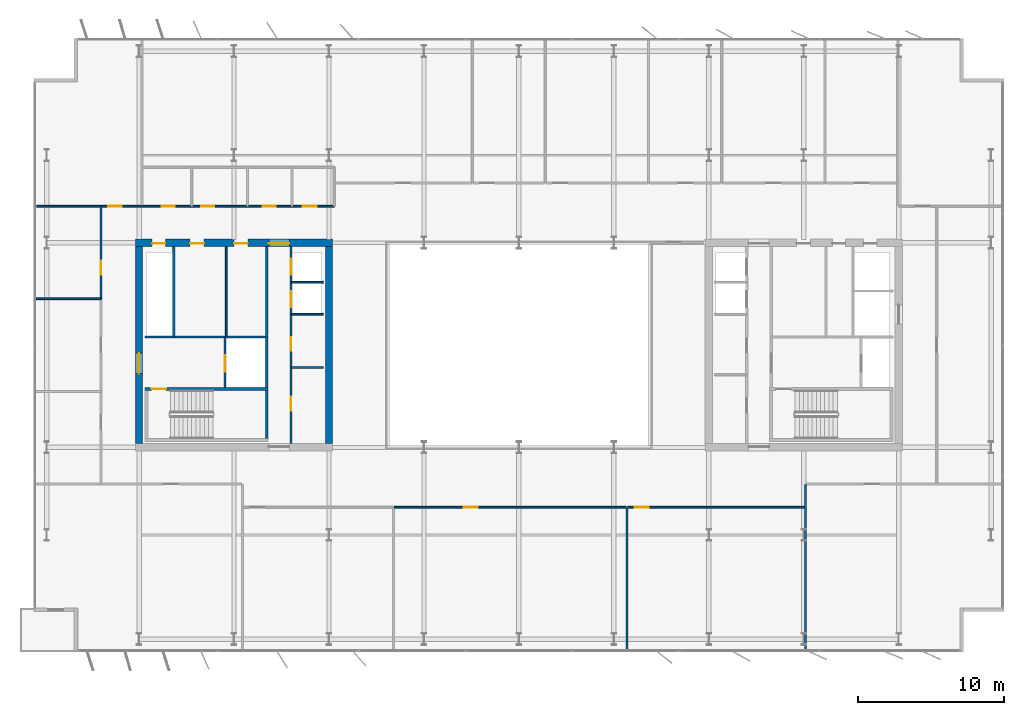
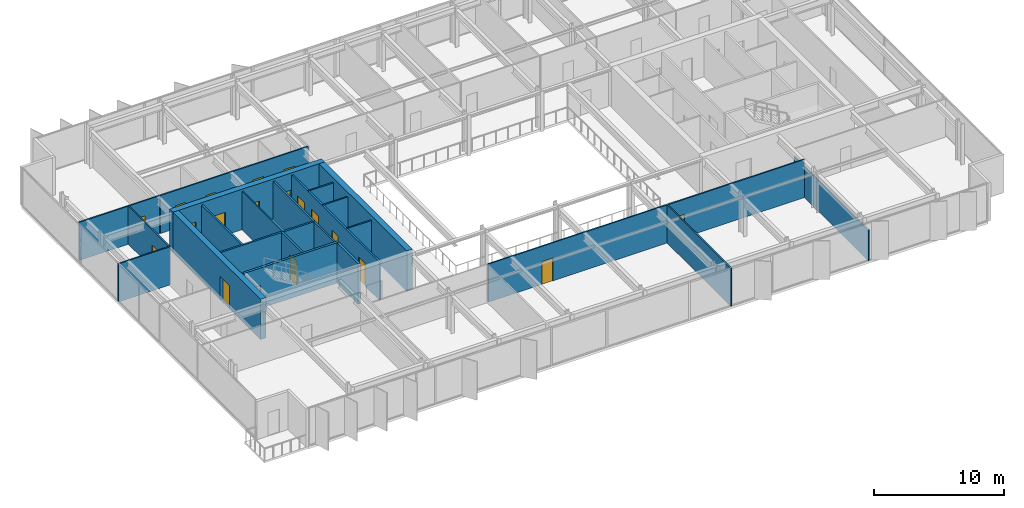
# One storey, part 17 of 23: 23 walls, 19 doors, 19 openings.
"""IFC4 building model written with IfcOpenShell, lengths in metres."""

from ifc_helpers import new_model, si_unit, direction, frame, frame_2d, origin, place, context, subcontext, project, spatial, rectangle, extrude, material, layer, layer_set, type_object, element, fill, save


model = new_model("IFC4")

# Units and contexts
model_context = context("Model", 3, precision=1e-05, world=origin(), true_north=direction((0.0, 1.0)))
body_context = subcontext(model_context, "Body", "Model", "MODEL_VIEW")
ifc_project = project(units=[si_unit("LENGTHUNIT", "METRE"), si_unit("AREAUNIT", "SQUARE_METRE"), si_unit("VOLUMEUNIT", "CUBIC_METRE"), si_unit("PLANEANGLEUNIT", "RADIAN"), si_unit("MASSUNIT", "GRAM", prefix="KILO")], contexts=[model_context])

# Site, building, storey
site_placement = place(None, origin())
site = spatial("IfcSite", under=ifc_project, at=site_placement, CompositionType="ELEMENT")
building_placement = place(site_placement, origin())
building = spatial("IfcBuilding", under=site, at=building_placement, Name="Putna Gate Headquarters", CompositionType="ELEMENT")
storey_placement = place(building_placement, frame((0.0, 0.0, 229.0)))
storey = spatial("IfcBuildingStorey", under=building, at=storey_placement, Name="L57", CompositionType="ELEMENT", Elevation=229.0)

# Wall, openings, doors
ifc_material_1 = material(Name="Concrete C50/60", Category="concrete")
ifc_layer_1 = layer(ifc_material_1, 0.5)
ifc_layer_set_1 = layer_set([ifc_layer_1], Name="Concrete C50/60")
wall_type_1 = type_object("IfcWallType", Name="WALL-CORE-500", PredefinedType="SHEAR", material=ifc_layer_set_1)
wall_1_placement = place(storey_placement, frame((12.75, 33.0, 0.0), z_axis=(0.0, 0.0, 1.0), x_axis=(1.0, 0.0, 0.0)))
wall_1 = element("IfcWall", 1, at=wall_1_placement, inside=storey, type_object=wall_type_1, Name="L57 WC Split Core Shear Wall N", PredefinedType="SHEAR", context=body_context, shape_type="SweptSolid", body=[
    extrude(rectangle(XDim=13.5, YDim=0.5, at=frame_2d((6.75, 0.0))), origin(), (0.0, 0.0, 1.0), 3.800048828125),
])
opening_1_placement = place(wall_1_placement, frame((1.14990234375, 0.0, 0.0)))
opening_1 = element("IfcOpeningElement", 2, at=opening_1_placement, cuts=wall_1, Name="Opening RD-90", PredefinedType="OPENING", context=body_context, shape_type="SweptSolid", body=[
    extrude(rectangle(XDim=0.89990234375, YDim=2.14990234375, at=frame_2d((0.449951171875, 1.074951171875))), frame((0.0, 0.260009765625, 0.0), z_axis=(0.0, -1.0, 0.0), x_axis=(1.0, 0.0, 0.0)), (0.0, 0.0, 1.0), 0.52001953125),
])
opening_2_placement = place(wall_1_placement, frame((3.75, 0.0, 0.0)))
opening_2 = element("IfcOpeningElement", 3, at=opening_2_placement, cuts=wall_1, Name="Opening IDS-95", PredefinedType="OPENING", context=body_context, shape_type="SweptSolid", body=[
    extrude(rectangle(XDim=0.949951171875, YDim=2.14990234375, at=frame_2d((0.47509765625, 1.074951171875))), frame((0.0, 0.260009765625, 0.0), z_axis=(0.0, -1.0, 0.0), x_axis=(1.0, 0.0, 0.0)), (0.0, 0.0, 1.0), 0.52001953125),
])
opening_3_placement = place(wall_1_placement, frame((6.75, 0.0, 0.0)))
opening_3 = element("IfcOpeningElement", 4, at=opening_3_placement, cuts=wall_1, Name="Opening IDS-95", PredefinedType="OPENING", context=body_context, shape_type="SweptSolid", body=[
    extrude(rectangle(XDim=0.949951171875, YDim=2.14990234375, at=frame_2d((0.47509765625, 1.074951171875))), frame((0.0, 0.260009765625, 0.0), z_axis=(0.0, -1.0, 0.0), x_axis=(1.0, 0.0, 0.0)), (0.0, 0.0, 1.0), 0.52001953125),
])
opening_4_placement = place(wall_1_placement, frame((9.1298828125, 0.0, 0.0)))
opening_4 = element("IfcOpeningElement", 5, at=opening_4_placement, cuts=wall_1, Name="Opening FDD-140", PredefinedType="OPENING", context=body_context, shape_type="SweptSolid", body=[
    extrude(rectangle(XDim=1.39990234375, YDim=2.199951171875, at=frame_2d((0.699951171875, 1.10009765625))), frame((0.0, 0.260009765625, 0.0), z_axis=(0.0, -1.0, 0.0), x_axis=(1.0, 0.0, 0.0)), (0.0, 0.0, 1.0), 0.52001953125),
])
ifc_material_2 = material(Name="Double steel fire door", Category="steel")
door_type_1 = type_object("IfcDoorType", Name="DOOR-FIRE-DBL-1400", OperationType="DOUBLE_DOOR_SINGLE_SWING", PredefinedType="DOOR", material=ifc_material_2)
door_1_placement = place(opening_4_placement, origin())
door_1 = element("IfcDoor", 6, at=door_1_placement, inside=storey, type_object=door_type_1, Name="L57 West Lift Lobby North Door", OperationType="DOUBLE_DOOR_SINGLE_SWING", OverallHeight=2.199951171875, OverallWidth=1.39990234375, PredefinedType="DOOR", context=body_context, shape_type="SweptSolid", body=[
    extrude(rectangle(XDim=1.39990234375, YDim=2.199951171875, at=frame_2d((0.699951171875, 1.10009765625))), frame((0.0, -0.02490234375, 0.0), z_axis=(0.0, -1.0, 0.0), x_axis=(1.0, 0.0, 0.0)), (0.0, 0.0, 1.0), 0.050048828125),
])
fill(opening_4, door_1)
ifc_material_3 = material(Name="Fire-rated service timber door", Category="wood")
door_type_2 = type_object("IfcDoorType", Name="DOOR-INT-950", OperationType="NOTDEFINED", PredefinedType="DOOR", material=ifc_material_3)
door_2_placement = place(opening_2_placement, origin())
door_2 = element("IfcDoor", 7, at=door_2_placement, inside=storey, type_object=door_type_2, Name="L57 Cleaner Store Door", OperationType="SINGLE_SWING_LEFT", OverallHeight=2.14990234375, OverallWidth=0.949951171875, PredefinedType="DOOR", context=body_context, shape_type="SweptSolid", body=[
    extrude(rectangle(XDim=0.949951171875, YDim=2.14990234375, at=frame_2d((0.47509765625, 1.074951171875))), frame((0.0, -0.02490234375, 0.0), z_axis=(0.0, -1.0, 0.0), x_axis=(1.0, 0.0, 0.0)), (0.0, 0.0, 1.0), 0.050048828125),
])
fill(opening_2, door_2)
door_3_placement = place(opening_3_placement, origin())
door_3 = element("IfcDoor", 8, at=door_3_placement, inside=storey, type_object=door_type_2, Name="L57 Comms Plant Door", OperationType="SINGLE_SWING_RIGHT", OverallHeight=2.14990234375, OverallWidth=0.949951171875, PredefinedType="DOOR", context=body_context, shape_type="SweptSolid", body=[
    extrude(rectangle(XDim=0.949951171875, YDim=2.14990234375, at=frame_2d((0.47509765625, 1.074951171875))), frame((0.0, -0.02490234375, 0.0), z_axis=(0.0, -1.0, 0.0), x_axis=(1.0, 0.0, 0.0)), (0.0, 0.0, 1.0), 0.050048828125),
])
fill(opening_3, door_3)
ifc_material_4 = material(Name="Steel riser access fire door", Category="steel")
door_type_3 = type_object("IfcDoorType", Name="DOOR-RISER-900", OperationType="NOTDEFINED", PredefinedType="DOOR", material=ifc_material_4)
door_4_placement = place(opening_1_placement, origin())
door_4 = element("IfcDoor", 9, at=door_4_placement, inside=storey, type_object=door_type_3, Name="L57 West Riser Access Door", OperationType="SINGLE_SWING_RIGHT", OverallHeight=2.14990234375, OverallWidth=0.89990234375, PredefinedType="DOOR", context=body_context, shape_type="SweptSolid", body=[
    extrude(rectangle(XDim=0.89990234375, YDim=2.14990234375, at=frame_2d((0.449951171875, 1.074951171875))), frame((0.0, -0.02490234375, 0.0), z_axis=(0.0, -1.0, 0.0), x_axis=(1.0, 0.0, 0.0)), (0.0, 0.0, 1.0), 0.050048828125),
])
fill(opening_1, door_4)

# Wall, opening, door
wall_2_placement = place(storey_placement, frame((13.0, 19.25, 0.0), z_axis=(0.0, 0.0, 1.0), x_axis=(0.0, 1.0, 0.0)))
wall_2 = element("IfcWall", 10, at=wall_2_placement, inside=storey, type_object=wall_type_1, Name="L57 WC Split Core Shear Wall W", PredefinedType="SHEAR", context=body_context, shape_type="SweptSolid", body=[
    extrude(rectangle(XDim=13.5, YDim=0.5, at=frame_2d((6.75, 0.0))), origin(), (0.0, 0.0, 1.0), 3.800048828125),
])
opening_5_placement = place(wall_2_placement, frame((4.800048828125, 0.0, 0.0)))
opening_5 = element("IfcOpeningElement", 11, at=opening_5_placement, cuts=wall_2, Name="Opening FDD-140", PredefinedType="OPENING", context=body_context, shape_type="SweptSolid", body=[
    extrude(rectangle(XDim=1.39990234375, YDim=2.199951171875, at=frame_2d((0.699951171875, 1.10009765625))), frame((0.0, 0.260009765625, 0.0), z_axis=(0.0, -1.0, 0.0), x_axis=(1.0, 0.0, 0.0)), (0.0, 0.0, 1.0), 0.52001953125),
])
door_5_placement = place(opening_5_placement, origin())
door_5 = element("IfcDoor", 12, at=door_5_placement, inside=storey, type_object=door_type_1, Name="L57 West Firefighting Lobby Door", OperationType="DOUBLE_DOOR_SINGLE_SWING", OverallHeight=2.199951171875, OverallWidth=1.39990234375, PredefinedType="DOOR", context=body_context, shape_type="SweptSolid", body=[
    extrude(rectangle(XDim=1.39990234375, YDim=2.199951171875, at=frame_2d((0.699951171875, 1.10009765625))), frame((0.0, 0.02490234375, 0.0), z_axis=(0.0, -1.0, 0.0), x_axis=(1.0, 0.0, 0.0)), (0.0, 0.0, 1.0), 0.050048828125),
])
fill(opening_5, door_5)

# Walls
wall_3_placement = place(storey_placement, frame((26.0, 19.25, 0.0), z_axis=(0.0, 0.0, 1.0), x_axis=(0.0, 1.0, 0.0)))
element("IfcWall", 13, at=wall_3_placement, inside=storey, type_object=wall_type_1, Name="L57 WC Split Core Shear Wall E", PredefinedType="SHEAR", context=body_context, shape_type="SweptSolid", body=[
    extrude(rectangle(XDim=13.5, YDim=0.5, at=frame_2d((6.75, 0.0))), origin(), (0.0, 0.0, 1.0), 3.800048828125),
])
ifc_material_5 = material(Name="Acoustic gypsum board on metal stud")
ifc_layer_2 = layer(ifc_material_5, 0.1201171875)
ifc_layer_set_2 = layer_set([ifc_layer_2], Name="Acoustic gypsum board on metal stud")
wall_type_2 = type_object("IfcWallType", Name="WALL-PART-120", PredefinedType="PARTITIONING", material=ifc_layer_set_2)
wall_4_placement = place(storey_placement, frame((46.396484375, 5.02001953125, 0.0), z_axis=(0.0, 0.0, 1.0), x_axis=(0.0, 1.0, 0.0)))
element("IfcWall", 14, at=wall_4_placement, inside=storey, type_object=wall_type_2, Name="L57 Interior Wall PART-L57-SB-DIV-03", PredefinedType="PARTITIONING", context=body_context, shape_type="SweptSolid", body=[
    extrude(rectangle(XDim=9.820068359375, YDim=0.1201171875, at=frame_2d((4.91015625, 0.0))), origin(), (0.0, 0.0, 1.0), 3.580078125),
])
wall_5_placement = place(storey_placement, frame((58.614013671875, 5.02001953125, 0.0), z_axis=(0.0, 0.0, 1.0), x_axis=(0.0, 1.0, 0.0)))
element("IfcWall", 15, at=wall_5_placement, inside=storey, type_object=wall_type_2, Name="L57 Interior Wall PART-L57-SB-DIV-04", PredefinedType="PARTITIONING", context=body_context, shape_type="SweptSolid", body=[
    extrude(rectangle(XDim=11.419921875, YDim=0.1201171875, at=frame_2d((5.7099609375, 0.0))), origin(), (0.0, 0.0, 1.0), 2.8798828125),
])
wall_6_placement = place(storey_placement, frame((5.820068359375, 29.166748046875, 0.0), z_axis=(0.0, 0.0, 1.0), x_axis=(1.0, 0.0, 0.0)))
element("IfcWall", 16, at=wall_6_placement, inside=storey, type_object=wall_type_2, Name="L57 Interior Wall PART-L57-WW-DIV-2", PredefinedType="PARTITIONING", context=body_context, shape_type="SweptSolid", body=[
    extrude(rectangle(XDim=4.579833984375, YDim=0.1201171875, at=frame_2d((2.2900390625, 0.0))), origin(), (0.0, 0.0, 1.0), 3.580078125),
])
ifc_material_6 = material(Name="Fire-rated shaftwall gypsum board on metal stud")
ifc_layer_3 = layer(ifc_material_6, 0.1201171875)
ifc_layer_set_3 = layer_set([ifc_layer_3], Name="Fire-rated shaftwall gypsum board on metal stud")
wall_type_3 = type_object("IfcWallType", Name="WALL-PART-120-EI120", PredefinedType="PARTITIONING", material=ifc_layer_set_3)
wall_7_placement = place(storey_placement, frame((23.39990234375, 30.31005859375, 0.0), z_axis=(0.0, 0.0, 1.0), x_axis=(1.0, 0.0, 0.0)))
element("IfcWall", 17, at=wall_7_placement, inside=storey, type_object=wall_type_3, Name="L57 Interior Wall CWINT-L57-WC-LF09-DIV", PredefinedType="PARTITIONING", context=body_context, shape_type="SweptSolid", body=[
    extrude(rectangle(XDim=2.2001953125, YDim=0.1201171875, at=frame_2d((1.10009765625, 0.0))), origin(), (0.0, 0.0, 1.0), 3.580078125),
])
ifc_material_7 = material(Name="Fire-rated gypsum board on metal stud")
ifc_layer_4 = layer(ifc_material_7, 0.1201171875)
ifc_layer_set_4 = layer_set([ifc_layer_4], Name="Fire-rated gypsum board on metal stud")
wall_type_4 = type_object("IfcWallType", Name="WALL-PART-120-RATED", PredefinedType="PARTITIONING", material=ifc_layer_set_4)
wall_8_placement = place(storey_placement, frame((18.969970703125, 26.56005859375, 0.0), z_axis=(0.0, 0.0, 1.0), x_axis=(0.0, 1.0, 0.0)))
element("IfcWall", 18, at=wall_8_placement, inside=storey, type_object=wall_type_4, Name="L57 Interior Wall CWINT-L57-WC-K0-DIV", PredefinedType="PARTITIONING", context=body_context, shape_type="SweptSolid", body=[
    extrude(rectangle(XDim=6.18994140625, YDim=0.1201171875, at=frame_2d((3.094970703125, 0.0))), origin(), (0.0, 0.0, 1.0), 3.580078125),
])
for number, where, z_axis, x_axis, name in (
    (19, (23.39990234375, 24.469970703125, 0.0), (0.0, 0.0, 1.0), (1.0, 0.0, 0.0), "L57 Interior Wall CWINT-L57-WC-REUSE-DIV"),
    (20, (23.39990234375, 28.1201171875, 0.0), (0.0, 0.0, 1.0), (1.0, 0.0, 0.0), "L57 Interior Wall CWINT-L57-WC-LF06-DIV"),
):
    element("IfcWall", number, at=place(storey_placement, frame(where, z_axis=z_axis, x_axis=x_axis)), inside=storey, type_object=wall_type_4, Name=name, PredefinedType="PARTITIONING", context=body_context, shape_type="SweptSolid", body=[
        extrude(rectangle(XDim=2.2001953125, YDim=0.1201171875, at=frame_2d((1.10009765625, 0.0))), origin(), (0.0, 0.0, 1.0), 3.580078125),
    ])

# Wall, openings, doors
wall_9_placement = place(storey_placement, frame((13.199951171875, 35.5, 0.0), z_axis=(0.0, 0.0, 1.0), x_axis=(1.0, 0.0, 0.0)))
wall_9 = element("IfcWall", 21, at=wall_9_placement, inside=storey, type_object=wall_type_4, Name="L57 Interior Wall PART-L57-SAN-CW", PredefinedType="PARTITIONING", context=body_context, shape_type="SweptSolid", body=[
    extrude(rectangle(XDim=13.16015625, YDim=0.1201171875, at=frame_2d((6.580078125, 0.0))), origin(), (0.0, 0.0, 1.0), 3.580078125),
])
opening_6_placement = place(wall_9_placement, frame((1.35009765625, 0.0, 0.0)))
opening_6 = element("IfcOpeningElement", 22, at=opening_6_placement, cuts=wall_9, Name="Opening FD-90", PredefinedType="OPENING", context=body_context, shape_type="SweptSolid", body=[
    extrude(rectangle(XDim=0.89990234375, YDim=2.14990234375, at=frame_2d((0.449951171875, 1.074951171875))), frame((0.0, 0.070068359375, 0.0), z_axis=(0.0, -1.0, 0.0), x_axis=(1.0, 0.0, 0.0)), (0.0, 0.0, 1.0), 0.14013671875),
])
opening_7_placement = place(wall_9_placement, frame((4.050048828125, 0.0, 0.0)))
opening_7 = element("IfcOpeningElement", 23, at=opening_7_placement, cuts=wall_9, Name="Opening FD-90", PredefinedType="OPENING", context=body_context, shape_type="SweptSolid", body=[
    extrude(rectangle(XDim=0.89990234375, YDim=2.14990234375, at=frame_2d((0.449951171875, 1.074951171875))), frame((0.0, 0.070068359375, 0.0), z_axis=(0.0, -1.0, 0.0), x_axis=(1.0, 0.0, 0.0)), (0.0, 0.0, 1.0), 0.14013671875),
])
opening_8_placement = place(wall_9_placement, frame((8.25, 0.0, 0.0)))
opening_8 = element("IfcOpeningElement", 24, at=opening_8_placement, cuts=wall_9, Name="Opening FD-90", PredefinedType="OPENING", context=body_context, shape_type="SweptSolid", body=[
    extrude(rectangle(XDim=0.89990234375, YDim=2.14990234375, at=frame_2d((0.449951171875, 1.074951171875))), frame((0.0, 0.070068359375, 0.0), z_axis=(0.0, -1.0, 0.0), x_axis=(1.0, 0.0, 0.0)), (0.0, 0.0, 1.0), 0.14013671875),
])
opening_9_placement = place(wall_9_placement, frame((11.0, 0.0, 0.0)))
opening_9 = element("IfcOpeningElement", 25, at=opening_9_placement, cuts=wall_9, Name="Opening FD-95", PredefinedType="OPENING", context=body_context, shape_type="SweptSolid", body=[
    extrude(rectangle(XDim=0.949951171875, YDim=2.14990234375, at=frame_2d((0.47509765625, 1.074951171875))), frame((0.0, 0.070068359375, 0.0), z_axis=(0.0, -1.0, 0.0), x_axis=(1.0, 0.0, 0.0)), (0.0, 0.0, 1.0), 0.14013671875),
])
ifc_material_8 = material(Name="Acoustic washroom fire door")
door_type_4 = type_object("IfcDoorType", Name="DOOR-FIRE-900", OperationType="NOTDEFINED", PredefinedType="DOOR", material=ifc_material_8)
door_6_placement = place(opening_6_placement, origin())
door_6 = element("IfcDoor", 26, at=door_6_placement, inside=storey, type_object=door_type_4, Name="L57 Washroom Male Door", OperationType="SINGLE_SWING_RIGHT", OverallHeight=2.14990234375, OverallWidth=0.89990234375, PredefinedType="DOOR", context=body_context, shape_type="SweptSolid", body=[
    extrude(rectangle(XDim=0.89990234375, YDim=2.14990234375, at=frame_2d((0.449951171875, 1.074951171875))), frame((0.0, 0.02490234375, 0.0), z_axis=(0.0, -1.0, 0.0), x_axis=(1.0, 0.0, 0.0)), (0.0, 0.0, 1.0), 0.050048828125),
])
fill(opening_6, door_6)
door_7_placement = place(opening_7_placement, origin())
door_7 = element("IfcDoor", 27, at=door_7_placement, inside=storey, type_object=door_type_4, Name="L57 Washroom Female Door", OperationType="SINGLE_SWING_LEFT", OverallHeight=2.14990234375, OverallWidth=0.89990234375, PredefinedType="DOOR", context=body_context, shape_type="SweptSolid", body=[
    extrude(rectangle(XDim=0.89990234375, YDim=2.14990234375, at=frame_2d((0.449951171875, 1.074951171875))), frame((0.0, 0.02490234375, 0.0), z_axis=(0.0, -1.0, 0.0), x_axis=(1.0, 0.0, 0.0)), (0.0, 0.0, 1.0), 0.050048828125),
])
fill(opening_7, door_7)
door_8_placement = place(opening_8_placement, origin())
door_8 = element("IfcDoor", 28, at=door_8_placement, inside=storey, type_object=door_type_4, Name="L57 Accessible WC Door", OperationType="SINGLE_SWING_RIGHT", OverallHeight=2.14990234375, OverallWidth=0.89990234375, PredefinedType="DOOR", context=body_context, shape_type="SweptSolid", body=[
    extrude(rectangle(XDim=0.89990234375, YDim=2.14990234375, at=frame_2d((0.449951171875, 1.074951171875))), frame((0.0, 0.02490234375, 0.0), z_axis=(0.0, -1.0, 0.0), x_axis=(1.0, 0.0, 0.0)), (0.0, 0.0, 1.0), 0.050048828125),
])
fill(opening_8, door_8)
ifc_material_9 = material(Name="Acoustic timber fire door", Category="wood")
door_type_5 = type_object("IfcDoorType", Name="DOOR-FIRE-950", OperationType="NOTDEFINED", PredefinedType="DOOR", material=ifc_material_9)
door_9_placement = place(opening_9_placement, origin())
door_9 = element("IfcDoor", 29, at=door_9_placement, inside=storey, type_object=door_type_5, Name="L57 Staff Pantry and Tea Point Door", OperationType="SINGLE_SWING_LEFT", OverallHeight=2.14990234375, OverallWidth=0.949951171875, PredefinedType="DOOR", context=body_context, shape_type="SweptSolid", body=[
    extrude(rectangle(XDim=0.949951171875, YDim=2.14990234375, at=frame_2d((0.47509765625, 1.074951171875))), frame((0.0, 0.02490234375, 0.0), z_axis=(0.0, -1.0, 0.0), x_axis=(1.0, 0.0, 0.0)), (0.0, 0.0, 1.0), 0.050048828125),
])
fill(opening_9, door_9)

# Wall, opening, door
wall_10_placement = place(storey_placement, frame((5.97998046875, 35.5, 0.0), z_axis=(0.0, 0.0, 1.0), x_axis=(1.0, 0.0, 0.0)))
wall_10 = element("IfcWall", 30, at=wall_10_placement, inside=storey, type_object=wall_type_4, Name="L57 Interior Wall PART-L57-NB-CW-01", PredefinedType="PARTITIONING", context=body_context, shape_type="SweptSolid", body=[
    extrude(rectangle(XDim=7.159912109375, YDim=0.1201171875, at=frame_2d((3.580078125, 0.0))), origin(), (0.0, 0.0, 1.0), 3.580078125),
])
opening_10_placement = place(wall_10_placement, frame((4.89990234375, 0.0, 0.0)))
opening_10 = element("IfcOpeningElement", 31, at=opening_10_placement, cuts=wall_10, Name="Opening FD-95", PredefinedType="OPENING", context=body_context, shape_type="SweptSolid", body=[
    extrude(rectangle(XDim=0.949951171875, YDim=2.14990234375, at=frame_2d((0.47509765625, 1.074951171875))), frame((0.0, 0.070068359375, 0.0), z_axis=(0.0, -1.0, 0.0), x_axis=(1.0, 0.0, 0.0)), (0.0, 0.0, 1.0), 0.14013671875),
])
door_10_placement = place(opening_10_placement, origin())
door_10 = element("IfcDoor", 32, at=door_10_placement, inside=storey, type_object=door_type_5, Name="L57 Cellular Office 4 Door", OperationType="SINGLE_SWING_RIGHT", OverallHeight=2.14990234375, OverallWidth=0.949951171875, PredefinedType="DOOR", context=body_context, shape_type="SweptSolid", body=[
    extrude(rectangle(XDim=0.949951171875, YDim=2.14990234375, at=frame_2d((0.47509765625, 1.074951171875))), frame((0.0, 0.02490234375, 0.0), z_axis=(0.0, -1.0, 0.0), x_axis=(1.0, 0.0, 0.0)), (0.0, 0.0, 1.0), 0.050048828125),
])
fill(opening_10, door_10)

wall_11_placement = place(storey_placement, frame((30.46826171875, 14.89990234375, 0.0), z_axis=(0.0, 0.0, 1.0), x_axis=(1.0, 0.0, 0.0)))
wall_11 = element("IfcWall", 33, at=wall_11_placement, inside=storey, type_object=wall_type_4, Name="L57 Interior Wall PART-L57-SB-CW-03", PredefinedType="PARTITIONING", context=body_context, shape_type="SweptSolid", body=[
    extrude(rectangle(XDim=15.8681640625, YDim=0.1201171875, at=frame_2d((7.93408203125, 0.0))), origin(), (0.0, 0.0, 1.0), 3.580078125),
])
opening_11_placement = place(wall_11_placement, frame((4.760498046875, 0.0, 0.0)))
opening_11 = element("IfcOpeningElement", 34, at=opening_11_placement, cuts=wall_11, Name="Opening FD-95", PredefinedType="OPENING", context=body_context, shape_type="SweptSolid", body=[
    extrude(rectangle(XDim=0.949951171875, YDim=2.14990234375, at=frame_2d((0.47509765625, 1.074951171875))), frame((0.0, 0.070068359375, 0.0), z_axis=(0.0, -1.0, 0.0), x_axis=(1.0, 0.0, 0.0)), (0.0, 0.0, 1.0), 0.14013671875),
])
door_11_placement = place(opening_11_placement, origin())
door_11 = element("IfcDoor", 35, at=door_11_placement, inside=storey, type_object=door_type_5, Name="L57 Cellular Office 2 Door", OperationType="SINGLE_SWING_RIGHT", OverallHeight=2.14990234375, OverallWidth=0.949951171875, PredefinedType="DOOR", context=body_context, shape_type="SweptSolid", body=[
    extrude(rectangle(XDim=0.949951171875, YDim=2.14990234375, at=frame_2d((0.47509765625, 1.074951171875))), frame((0.0, 0.02490234375, 0.0), z_axis=(0.0, -1.0, 0.0), x_axis=(1.0, 0.0, 0.0)), (0.0, 0.0, 1.0), 0.050048828125),
])
fill(opening_11, door_11)

wall_12_placement = place(storey_placement, frame((46.45654296875, 14.89990234375, 0.0), z_axis=(0.0, 0.0, 1.0), x_axis=(1.0, 0.0, 0.0)))
wall_12 = element("IfcWall", 36, at=wall_12_placement, inside=storey, type_object=wall_type_4, Name="L57 Interior Wall PART-L57-SB-CW-04", PredefinedType="PARTITIONING", context=body_context, shape_type="SweptSolid", body=[
    extrude(rectangle(XDim=12.097412109375, YDim=0.1201171875, at=frame_2d((6.048828125, 0.0))), origin(), (0.0, 0.0, 1.0), 3.580078125),
])
opening_12_placement = place(wall_12_placement, frame((0.47998046875, 0.0, 0.0)))
opening_12 = element("IfcOpeningElement", 37, at=opening_12_placement, cuts=wall_12, Name="Opening FD-95", PredefinedType="OPENING", context=body_context, shape_type="SweptSolid", body=[
    extrude(rectangle(XDim=0.949951171875, YDim=2.14990234375, at=frame_2d((0.47509765625, 1.074951171875))), frame((0.0, 0.070068359375, 0.0), z_axis=(0.0, -1.0, 0.0), x_axis=(1.0, 0.0, 0.0)), (0.0, 0.0, 1.0), 0.14013671875),
])
door_12_placement = place(opening_12_placement, origin())
door_12 = element("IfcDoor", 38, at=door_12_placement, inside=storey, type_object=door_type_5, Name="L57 Cellular Office 3 Door", OperationType="SINGLE_SWING_LEFT", OverallHeight=2.14990234375, OverallWidth=0.949951171875, PredefinedType="DOOR", context=body_context, shape_type="SweptSolid", body=[
    extrude(rectangle(XDim=0.949951171875, YDim=2.14990234375, at=frame_2d((0.47509765625, 1.074951171875))), frame((0.0, 0.02490234375, 0.0), z_axis=(0.0, -1.0, 0.0), x_axis=(1.0, 0.0, 0.0)), (0.0, 0.0, 1.0), 0.050048828125),
])
fill(opening_12, door_12)

wall_13_placement = place(storey_placement, frame((10.39990234375, 29.166748046875, 0.0), z_axis=(0.0, 0.0, 1.0), x_axis=(0.0, 1.0, 0.0)))
wall_13 = element("IfcWall", 39, at=wall_13_placement, inside=storey, type_object=wall_type_4, Name="L57 Interior Wall PART-L57-WW-CW-3", PredefinedType="PARTITIONING", context=body_context, shape_type="SweptSolid", body=[
    extrude(rectangle(XDim=6.333251953125, YDim=0.1201171875, at=frame_2d((3.16650390625, 0.0))), origin(), (0.0, 0.0, 1.0), 3.580078125),
])
opening_13_placement = place(wall_13_placement, frame((1.6416015625, 0.0, 0.0)))
opening_13 = element("IfcOpeningElement", 40, at=opening_13_placement, cuts=wall_13, Name="Opening FD-95", PredefinedType="OPENING", context=body_context, shape_type="SweptSolid", body=[
    extrude(rectangle(XDim=0.949951171875, YDim=2.14990234375, at=frame_2d((0.47509765625, 1.074951171875))), frame((0.0, 0.070068359375, 0.0), z_axis=(0.0, -1.0, 0.0), x_axis=(1.0, 0.0, 0.0)), (0.0, 0.0, 1.0), 0.14013671875),
])
door_13_placement = place(opening_13_placement, origin())
door_13 = element("IfcDoor", 41, at=door_13_placement, inside=storey, type_object=door_type_5, Name="L57 West Project Meeting Room 3 Door", OperationType="SINGLE_SWING_LEFT", OverallHeight=2.14990234375, OverallWidth=0.949951171875, PredefinedType="DOOR", context=body_context, shape_type="SweptSolid", body=[
    extrude(rectangle(XDim=0.949951171875, YDim=2.14990234375, at=frame_2d((0.47509765625, 1.074951171875))), frame((0.0, 0.02490234375, 0.0), z_axis=(0.0, -1.0, 0.0), x_axis=(1.0, 0.0, 0.0)), (0.0, 0.0, 1.0), 0.050048828125),
])
fill(opening_13, door_13)

# Wall
ifc_material_10 = material(Name="Concrete C40/50", Category="concrete")
ifc_layer_5 = layer(ifc_material_10, 0.159912109375)
ifc_layer_set_5 = layer_set([ifc_layer_5], Name="Concrete C40/50")
wall_type_5 = type_object("IfcWallType", Name="WALL-SHAFT-160", PredefinedType="STANDARD", material=ifc_layer_set_5)
wall_14_placement = place(storey_placement, frame((21.739990234375, 23.090087890625, 0.0), z_axis=(0.0, 0.0, 1.0), x_axis=(0.0, 1.0, 0.0)))
element("IfcWall", 42, at=wall_14_placement, inside=storey, type_object=wall_type_5, Name="L57 Interior Wall CWINT-L57-WC-FFL-E", PredefinedType="STANDARD", context=body_context, shape_type="SweptSolid", body=[
    extrude(rectangle(XDim=3.469970703125, YDim=0.159912109375, at=frame_2d((1.73486328125, 0.0))), origin(), (0.0, 0.0, 1.0), 3.580078125),
])

# Wall, opening, door
wall_15_placement = place(storey_placement, frame((18.8798828125, 23.090087890625, 0.0), z_axis=(0.0, 0.0, 1.0), x_axis=(0.0, 1.0, 0.0)))
wall_15 = element("IfcWall", 43, at=wall_15_placement, inside=storey, type_object=wall_type_5, Name="L57 Interior Wall CWINT-L57-WC-LF13-W", PredefinedType="STANDARD", context=body_context, shape_type="SweptSolid", body=[
    extrude(rectangle(XDim=3.469970703125, YDim=0.159912109375, at=frame_2d((1.73486328125, 0.0))), origin(), (0.0, 0.0, 1.0), 3.580078125),
])
opening_14_placement = place(wall_15_placement, frame((1.10009765625, 0.0, 0.0)))
opening_14 = element("IfcOpeningElement", 44, at=opening_14_placement, cuts=wall_15, Name="Opening LD-1", PredefinedType="OPENING", context=body_context, shape_type="SweptSolid", body=[
    extrude(rectangle(XDim=1.10009765625, YDim=2.199951171875, at=frame_2d((0.550048828125, 1.10009765625))), frame((0.0, 0.08984375, 0.0), z_axis=(0.0, -1.0, 0.0), x_axis=(1.0, 0.0, 0.0)), (0.0, 0.0, 1.0), 0.179931640625),
])
ifc_material_11 = material(Name="Brushed bronze stainless lift landing door")
door_type_6 = type_object("IfcDoorType", Name="DOOR-LIFT-1100", OperationType="DOUBLE_DOOR_SLIDING", PredefinedType="DOOR", material=ifc_material_11)
door_14_placement = place(opening_14_placement, origin())
door_14 = element("IfcDoor", 45, at=door_14_placement, inside=storey, type_object=door_type_6, Name="L57 Lift Landing Door LD-13", OperationType="DOUBLE_DOOR_SLIDING", OverallHeight=2.199951171875, OverallWidth=1.10009765625, PredefinedType="DOOR", context=body_context, shape_type="SweptSolid", body=[
    extrude(rectangle(XDim=1.10009765625, YDim=2.199951171875, at=frame_2d((0.550048828125, 1.10009765625))), frame((0.0, 0.02490234375, 0.0), z_axis=(0.0, -1.0, 0.0), x_axis=(1.0, 0.0, 0.0)), (0.0, 0.0, 1.0), 0.050048828125),
])
fill(opening_14, door_14)

# Walls
wall_16_placement = place(storey_placement, frame((13.39990234375, 26.56005859375, 0.0), z_axis=(0.0, 0.0, 1.0), x_axis=(1.0, 0.0, 0.0)))
element("IfcWall", 46, at=wall_16_placement, inside=storey, type_object=wall_type_5, Name="L57 Interior Wall CWINT-L57-WC-FFL-N", PredefinedType="STANDARD", context=body_context, shape_type="SweptSolid", body=[
    extrude(rectangle(XDim=8.340087890625, YDim=0.159912109375, at=frame_2d((4.169921875, 0.0))), origin(), (0.0, 0.0, 1.0), 3.580078125),
])
for number, where, z_axis, x_axis, name in (
    (47, (15.3798828125, 26.56005859375, 0.0), (0.0, 0.0, 1.0), (0.0, 1.0, 0.0), "L57 Interior Wall CWINT-L57-WC-RISER-E"),
    (48, (21.739990234375, 26.56005859375, 0.0), (0.0, 0.0, 1.0), (0.0, 1.0, 0.0), "L57 Interior Wall CWINT-L57-WC-LOB-W"),
):
    element("IfcWall", number, at=place(storey_placement, frame(where, z_axis=z_axis, x_axis=x_axis)), inside=storey, type_object=wall_type_5, Name=name, PredefinedType="STANDARD", context=body_context, shape_type="SweptSolid", body=[
        extrude(rectangle(XDim=6.18994140625, YDim=0.159912109375, at=frame_2d((3.094970703125, 0.0))), origin(), (0.0, 0.0, 1.0), 3.580078125),
    ])

# Wall, openings, doors
wall_17_placement = place(storey_placement, frame((23.39990234375, 19.25, 0.0), z_axis=(0.0, 0.0, 1.0), x_axis=(0.0, 1.0, 0.0)))
wall_17 = element("IfcWall", 49, at=wall_17_placement, inside=storey, type_object=wall_type_5, Name="L57 Interior Wall CWINT-L57-WC-PL-WALL", PredefinedType="STANDARD", context=body_context, shape_type="SweptSolid", body=[
    extrude(rectangle(XDim=13.5, YDim=0.159912109375, at=frame_2d((6.75, 0.0))), origin(), (0.0, 0.0, 1.0), 3.580078125),
])
opening_15_placement = place(wall_17_placement, frame((2.25, 0.0, 0.0)))
opening_15 = element("IfcOpeningElement", 50, at=opening_15_placement, cuts=wall_17, Name="Opening IDS-95", PredefinedType="OPENING", context=body_context, shape_type="SweptSolid", body=[
    extrude(rectangle(XDim=0.949951171875, YDim=2.14990234375, at=frame_2d((0.47509765625, 1.074951171875))), frame((0.0, 0.08984375, 0.0), z_axis=(0.0, -1.0, 0.0), x_axis=(1.0, 0.0, 0.0)), (0.0, 0.0, 1.0), 0.179931640625),
])
opening_16_placement = place(wall_17_placement, frame((6.35009765625, 0.0, 0.0)))
opening_16 = element("IfcOpeningElement", 51, at=opening_16_placement, cuts=wall_17, Name="Opening IDS-95", PredefinedType="OPENING", context=body_context, shape_type="SweptSolid", body=[
    extrude(rectangle(XDim=0.949951171875, YDim=2.14990234375, at=frame_2d((0.47509765625, 1.074951171875))), frame((0.0, 0.08984375, 0.0), z_axis=(0.0, -1.0, 0.0), x_axis=(1.0, 0.0, 0.0)), (0.0, 0.0, 1.0), 0.179931640625),
])
opening_17_placement = place(wall_17_placement, frame((9.35009765625, 0.0, 0.0)))
opening_17 = element("IfcOpeningElement", 52, at=opening_17_placement, cuts=wall_17, Name="Opening LD-1", PredefinedType="OPENING", context=body_context, shape_type="SweptSolid", body=[
    extrude(rectangle(XDim=1.10009765625, YDim=2.199951171875, at=frame_2d((0.550048828125, 1.10009765625))), frame((0.0, 0.08984375, 0.0), z_axis=(0.0, -1.0, 0.0), x_axis=(1.0, 0.0, 0.0)), (0.0, 0.0, 1.0), 0.179931640625),
])
opening_18_placement = place(wall_17_placement, frame((11.550048828125, 0.0, 0.0)))
opening_18 = element("IfcOpeningElement", 53, at=opening_18_placement, cuts=wall_17, Name="Opening LD-1", PredefinedType="OPENING", context=body_context, shape_type="SweptSolid", body=[
    extrude(rectangle(XDim=1.10009765625, YDim=2.199951171875, at=frame_2d((0.550048828125, 1.10009765625))), frame((0.0, 0.08984375, 0.0), z_axis=(0.0, -1.0, 0.0), x_axis=(1.0, 0.0, 0.0)), (0.0, 0.0, 1.0), 0.179931640625),
])
door_15_placement = place(opening_15_placement, origin())
door_15 = element("IfcDoor", 54, at=door_15_placement, inside=storey, type_object=door_type_2, Name="L57 Tenant IT Hub Door", OperationType="SINGLE_SWING_LEFT", OverallHeight=2.14990234375, OverallWidth=0.949951171875, PredefinedType="DOOR", context=body_context, shape_type="SweptSolid", body=[
    extrude(rectangle(XDim=0.949951171875, YDim=2.14990234375, at=frame_2d((0.47509765625, 1.074951171875))), frame((0.0, 0.02490234375, 0.0), z_axis=(0.0, -1.0, 0.0), x_axis=(1.0, 0.0, 0.0)), (0.0, 0.0, 1.0), 0.050048828125),
])
fill(opening_15, door_15)
door_16_placement = place(opening_16_placement, origin())
door_16 = element("IfcDoor", 55, at=door_16_placement, inside=storey, type_object=door_type_2, Name="L57 Records Vault Door", OperationType="SINGLE_SWING_RIGHT", OverallHeight=2.14990234375, OverallWidth=0.949951171875, PredefinedType="DOOR", context=body_context, shape_type="SweptSolid", body=[
    extrude(rectangle(XDim=0.949951171875, YDim=2.14990234375, at=frame_2d((0.47509765625, 1.074951171875))), frame((0.0, 0.02490234375, 0.0), z_axis=(0.0, -1.0, 0.0), x_axis=(1.0, 0.0, 0.0)), (0.0, 0.0, 1.0), 0.050048828125),
])
fill(opening_16, door_16)
door_17_placement = place(opening_17_placement, origin())
door_17 = element("IfcDoor", 56, at=door_17_placement, inside=storey, type_object=door_type_6, Name="L57 Lift Landing Door LD-09", OperationType="DOUBLE_DOOR_SLIDING", OverallHeight=2.199951171875, OverallWidth=1.10009765625, PredefinedType="DOOR", context=body_context, shape_type="SweptSolid", body=[
    extrude(rectangle(XDim=1.10009765625, YDim=2.199951171875, at=frame_2d((0.550048828125, 1.10009765625))), frame((0.0, 0.02490234375, 0.0), z_axis=(0.0, -1.0, 0.0), x_axis=(1.0, 0.0, 0.0)), (0.0, 0.0, 1.0), 0.050048828125),
])
fill(opening_17, door_17)
door_18_placement = place(opening_18_placement, origin())
door_18 = element("IfcDoor", 57, at=door_18_placement, inside=storey, type_object=door_type_6, Name="L57 Lift Landing Door LD-10", OperationType="DOUBLE_DOOR_SLIDING", OverallHeight=2.199951171875, OverallWidth=1.10009765625, PredefinedType="DOOR", context=body_context, shape_type="SweptSolid", body=[
    extrude(rectangle(XDim=1.10009765625, YDim=2.199951171875, at=frame_2d((0.550048828125, 1.10009765625))), frame((0.0, 0.02490234375, 0.0), z_axis=(0.0, -1.0, 0.0), x_axis=(1.0, 0.0, 0.0)), (0.0, 0.0, 1.0), 0.050048828125),
])
fill(opening_18, door_18)

# Wall, opening, door
ifc_layer_6 = layer(ifc_material_10, 0.199951171875)
ifc_layer_set_6 = layer_set([ifc_layer_6], Name="Concrete C40/50")
wall_type_6 = type_object("IfcWallType", Name="WALL-SHAFT-RC200", PredefinedType="SHEAR", material=ifc_layer_set_6)
wall_18_placement = place(storey_placement, frame((13.409912109375, 22.989990234375, 0.0), z_axis=(0.0, 0.0, 1.0), x_axis=(1.0, 0.0, 0.0)))
wall_18 = element("IfcWall", 58, at=wall_18_placement, inside=storey, type_object=wall_type_6, Name="L57 Stair ST1 Structural Shaft Wall N", PredefinedType="SHEAR", context=body_context, shape_type="SweptSolid", body=[
    extrude(rectangle(XDim=8.43017578125, YDim=0.199951171875, at=frame_2d((4.215087890625, 0.0))), origin(), (0.0, 0.0, 1.0), 3.800048828125),
])
opening_19_placement = place(wall_18_placement, frame((0.449951171875, 0.0, 0.0)))
opening_19 = element("IfcOpeningElement", 59, at=opening_19_placement, cuts=wall_18, Name="Opening FD-100", PredefinedType="OPENING", context=body_context, shape_type="SweptSolid", body=[
    extrude(rectangle(XDim=1.0, YDim=2.14990234375, at=frame_2d((0.5, 1.074951171875))), frame((0.0, 0.10986328125, 0.0), z_axis=(0.0, -1.0, 0.0), x_axis=(1.0, 0.0, 0.0)), (0.0, 0.0, 1.0), 0.219970703125),
])
ifc_material_12 = material(Name="Powder-coated steel fire door", Category="steel")
door_type_7 = type_object("IfcDoorType", Name="DOOR-FIRE-1000", OperationType="NOTDEFINED", PredefinedType="DOOR", material=ifc_material_12)
door_19_placement = place(opening_19_placement, origin())
door_19 = element("IfcDoor", 60, at=door_19_placement, inside=storey, type_object=door_type_7, Name="L57 Stair ST1 Fire Door", OperationType="SINGLE_SWING_LEFT", OverallHeight=2.14990234375, OverallWidth=1.0, PredefinedType="DOOR", context=body_context, shape_type="SweptSolid", body=[
    extrude(rectangle(XDim=1.0, YDim=2.14990234375, at=frame_2d((0.5, 1.074951171875))), frame((0.0, 0.02490234375, 0.0), z_axis=(0.0, -1.0, 0.0), x_axis=(1.0, 0.0, 0.0)), (0.0, 0.0, 1.0), 0.050048828125),
])
fill(opening_19, door_19)

# Wall
wall_19_placement = place(storey_placement, frame((21.739990234375, 19.610107421875, 0.0), z_axis=(0.0, 0.0, 1.0), x_axis=(0.0, 1.0, 0.0)))
element("IfcWall", 61, at=wall_19_placement, inside=storey, type_object=wall_type_6, Name="L57 Stair ST1 Structural Shaft Wall E", PredefinedType="SHEAR", context=body_context, shape_type="SweptSolid", body=[
    extrude(rectangle(XDim=3.27978515625, YDim=0.199951171875, at=frame_2d((1.639892578125, 0.0))), origin(), (0.0, 0.0, 1.0), 3.800048828125),
])

save(model, "model.ifc")
